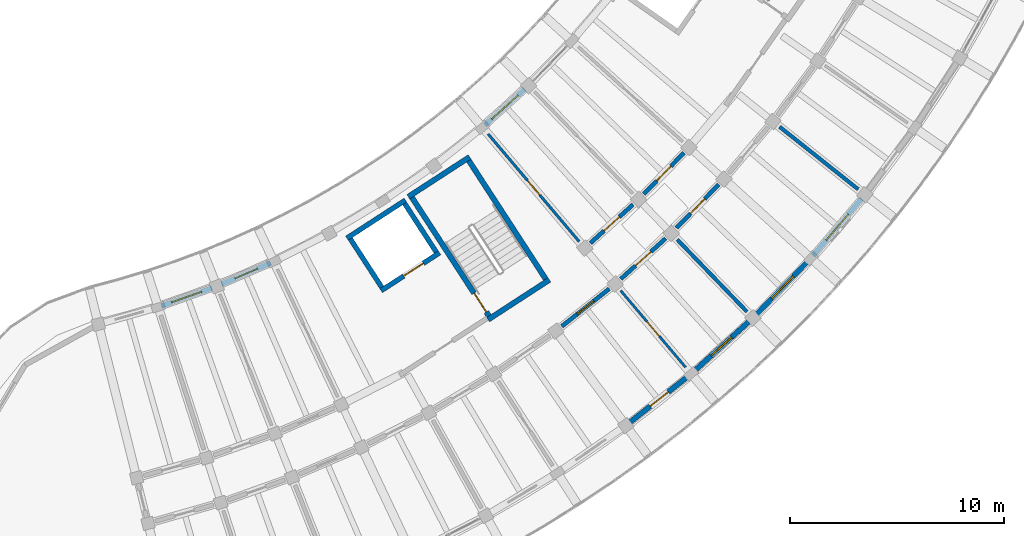
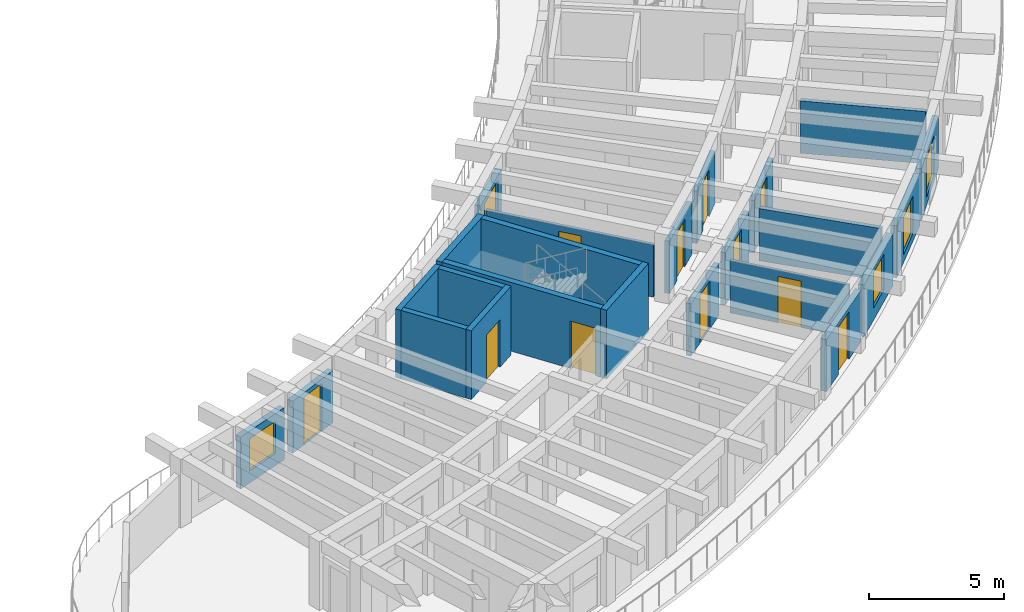
# One storey, part 67 of 96: 24 walls, 11 doors, 5 windows, 16 openings.
"""IFC4 building model written with IfcOpenShell, lengths in metres."""

from ifc_helpers import new_model, si_unit, direction, frame, frame_2d, origin, place, context, subcontext, project, spatial, rectangle, extrude, material, layer, layer_set, type_object, element, fill, save


model = new_model("IFC4")

# Units and contexts
model_context = context("Model", 3, precision=1e-05, world=origin(), true_north=direction((0.0, 1.0)))
body_context = subcontext(model_context, "Body", "Model", "MODEL_VIEW")
ifc_project = project(units=[si_unit("LENGTHUNIT", "METRE"), si_unit("AREAUNIT", "SQUARE_METRE"), si_unit("VOLUMEUNIT", "CUBIC_METRE"), si_unit("PLANEANGLEUNIT", "RADIAN"), si_unit("MASSUNIT", "GRAM", prefix="KILO")], contexts=[model_context])

# Site, building, storey
site_placement = place(None, origin())
site = spatial("IfcSite", under=ifc_project, at=site_placement, CompositionType="ELEMENT")
building_placement = place(site_placement, origin())
building = spatial("IfcBuilding", under=site, at=building_placement, Name="Tanwirah Colonnade Gardens", CompositionType="ELEMENT")
storey_placement = place(building_placement, frame((0.0, 0.0, 12.199951171875)))
storey = spatial("IfcBuildingStorey", under=building, at=storey_placement, Name="L03", CompositionType="ELEMENT", Elevation=12.199951171875)

# Wall, opening, window
ifc_material_1 = material(Name="Limestone architectural precast concrete C40/50", Category="masonry")
ifc_layer_1 = layer(ifc_material_1, 0.239990234375)
ifc_layer_set_1 = layer_set([ifc_layer_1], Name="Limestone architectural precast concrete C40/50")
wall_type_1 = type_object("IfcWallType", Name="EW-PC240", PredefinedType="SOLIDWALL", material=ifc_layer_set_1)
wall_1_placement = place(storey_placement, frame((134.701904296875, 22.2197265625, 0.0), z_axis=(0.0, 0.0, 1.0), x_axis=(0.941892135469, 0.33591547321, 0.0)))
wall_1 = element("IfcWall", 1, at=wall_1_placement, inside=storey, type_object=wall_type_1, Name="Block D L03 IN Precast Facade Wall 1", PredefinedType="SOLIDWALL", context=body_context, shape_type="SweptSolid", body=[
    extrude(rectangle(XDim=2.498779296875, YDim=0.239990234375, at=frame_2d((1.24951171875, 0.0))), origin(), (0.0, 0.0, 1.0), 2.35498046875),
])
opening_1_placement = place(wall_1_placement, frame((0.509521484375, 0.0, 0.550048828125)))
opening_1 = element("IfcOpeningElement", 2, at=opening_1_placement, cuts=wall_1, Name="Opening WIN-U09", PredefinedType="OPENING", context=body_context, shape_type="SweptSolid", body=[
    extrude(rectangle(XDim=1.47998046875, YDim=1.4599609375, at=frame_2d((0.739990234375, 0.72998046875))), frame((0.0, 0.1298828125, 0.0), z_axis=(0.0, -1.0, 0.0), x_axis=(1.0, 0.0, 0.0)), (0.0, 0.0, 1.0), 0.260009765625),
])
ifc_material_2 = material(Name="Thermally broken bronze aluminium and solar low-E double glazing", Category="aluminium")
window_type_1 = type_object("IfcWindowType", Name="WIN-U09", PartitioningType="DOUBLE_PANEL_VERTICAL", PredefinedType="WINDOW", material=ifc_material_2)
window_1_placement = place(opening_1_placement, origin())
window_1 = element("IfcWindow", 3, at=window_1_placement, inside=storey, type_object=window_type_1, Name="Facade window D-L03-IN-01", OverallHeight=1.4599609375, OverallWidth=1.47998046875, PartitioningType="SINGLE_PANEL", PredefinedType="WINDOW", context=body_context, shape_type="SweptSolid", body=[
    extrude(rectangle(XDim=1.47998046875, YDim=1.4599609375, at=frame_2d((0.739990234375, 0.72998046875))), frame((0.0, 0.030029296875, 0.0), z_axis=(0.0, -1.0, 0.0), x_axis=(1.0, 0.0, 0.0)), (0.0, 0.0, 1.0), 0.06005859375),
])
fill(opening_1, window_1)

# Wall, opening, door
wall_2_placement = place(storey_placement, frame((137.5205078125, 23.2421875, 0.0), z_axis=(0.0, 0.0, 1.0), x_axis=(0.91795321239, 0.396688668686, 0.0)))
wall_2 = element("IfcWall", 4, at=wall_2_placement, inside=storey, type_object=wall_type_1, Name="Block D L03 IN Precast Facade Wall 2", PredefinedType="SOLIDWALL", context=body_context, shape_type="SweptSolid", body=[
    extrude(rectangle(XDim=2.498779296875, YDim=0.239990234375, at=frame_2d((1.24951171875, 0.0))), origin(), (0.0, 0.0, 1.0), 2.35498046875),
])
opening_2_placement = place(wall_2_placement, frame((0.679443359375, 0.0, 0.0)))
opening_2 = element("IfcOpeningElement", 5, at=opening_2_placement, cuts=wall_2, Name="Opening L03-ED188", PredefinedType="OPENING", context=body_context, shape_type="SweptSolid", body=[
    extrude(rectangle(XDim=1.139892578125, YDim=2.159912109375, at=frame_2d((0.56982421875, 1.080078125))), frame((0.0, 0.1298828125, 0.0), z_axis=(0.0, -1.0, 0.0), x_axis=(1.0, 0.0, 0.0)), (0.0, 0.0, 1.0), 0.260009765625),
])
ifc_material_3 = material(Name="Bronze aluminium glazed balcony door", Category="aluminium")
door_type_1 = type_object("IfcDoorType", Name="ED-BAL114", OperationType="NOTDEFINED", PredefinedType="DOOR", material=ifc_material_3)
door_1_placement = place(opening_2_placement, origin())
door_1 = element("IfcDoor", 6, at=door_1_placement, inside=storey, type_object=door_type_1, Name="Balcony glazed door L03-ED188", OperationType="SINGLE_SWING_RIGHT", OverallHeight=2.159912109375, OverallWidth=1.139892578125, PredefinedType="DOOR", context=body_context, shape_type="SweptSolid", body=[
    extrude(rectangle(XDim=1.139892578125, YDim=2.159912109375, at=frame_2d((0.56982421875, 1.080078125))), frame((0.0, 0.02490234375, 0.0), z_axis=(0.0, -1.0, 0.0), x_axis=(1.0, 0.0, 0.0)), (0.0, 0.0, 1.0), 0.050048828125),
])
fill(opening_2, door_1)

wall_3_placement = place(storey_placement, frame((156.61767578125, 16.78564453125, 0.0), z_axis=(0.0, 0.0, 1.0), x_axis=(0.78398760997, 0.620776471376, 0.0)))
wall_3 = element("IfcWall", 7, at=wall_3_placement, inside=storey, type_object=wall_type_1, Name="Block D L03 OUT Precast Facade Wall 6", PredefinedType="SOLIDWALL", context=body_context, shape_type="SweptSolid", body=[
    extrude(rectangle(XDim=3.48681640625, YDim=0.239990234375, at=frame_2d((1.743408203125, 0.0))), origin(), (0.0, 0.0, 1.0), 2.35498046875),
])
opening_3_placement = place(wall_3_placement, frame((1.203369140625, 0.0, 0.0)))
opening_3 = element("IfcOpeningElement", 8, at=opening_3_placement, cuts=wall_3, Name="Opening L03-ED189", PredefinedType="OPENING", context=body_context, shape_type="SweptSolid", body=[
    extrude(rectangle(XDim=1.080078125, YDim=2.14990234375, at=frame_2d((0.5400390625, 1.074951171875))), frame((0.0, 0.1298828125, 0.0), z_axis=(0.0, -1.0, 0.0), x_axis=(1.0, 0.0, 0.0)), (0.0, 0.0, 1.0), 0.260009765625),
])
door_type_2 = type_object("IfcDoorType", Name="ED-BAL108", OperationType="NOTDEFINED", PredefinedType="DOOR", material=ifc_material_3)
door_2_placement = place(opening_3_placement, origin())
door_2 = element("IfcDoor", 9, at=door_2_placement, inside=storey, type_object=door_type_2, Name="Balcony glazed door L03-ED189", OperationType="SINGLE_SWING_RIGHT", OverallHeight=2.14990234375, OverallWidth=1.080078125, PredefinedType="DOOR", context=body_context, shape_type="SweptSolid", body=[
    extrude(rectangle(XDim=1.080078125, YDim=2.14990234375, at=frame_2d((0.5400390625, 1.074951171875))), frame((0.0, 0.02490234375, 0.0), z_axis=(0.0, -1.0, 0.0), x_axis=(1.0, 0.0, 0.0)), (0.0, 0.0, 1.0), 0.050048828125),
])
fill(opening_3, door_2)

# Wall, opening, window
wall_4_placement = place(storey_placement, frame((159.595458984375, 19.15673828125, 0.0), z_axis=(0.0, 0.0, 1.0), x_axis=(0.741648568445, 0.670788641022, 0.0)))
wall_4 = element("IfcWall", 10, at=wall_4_placement, inside=storey, type_object=wall_type_1, Name="Block D L03 OUT Precast Facade Wall 7", PredefinedType="SOLIDWALL", context=body_context, shape_type="SweptSolid", body=[
    extrude(rectangle(XDim=3.48681640625, YDim=0.239990234375, at=frame_2d((1.743408203125, 0.0))), origin(), (0.0, 0.0, 1.0), 2.35498046875),
])
opening_4_placement = place(wall_4_placement, frame((1.093505859375, 0.0, 0.550048828125)))
opening_4 = element("IfcOpeningElement", 11, at=opening_4_placement, cuts=wall_4, Name="Opening WIN-T04", PredefinedType="OPENING", context=body_context, shape_type="SweptSolid", body=[
    extrude(rectangle(XDim=1.300048828125, YDim=1.60009765625, at=frame_2d((0.64990234375, 0.800048828125))), frame((0.0, 0.1298828125, 0.0), z_axis=(0.0, -1.0, 0.0), x_axis=(1.0, 0.0, 0.0)), (0.0, 0.0, 1.0), 0.260009765625),
])
window_type_2 = type_object("IfcWindowType", Name="WIN-T04", PartitioningType="DOUBLE_PANEL_VERTICAL", PredefinedType="WINDOW", material=ifc_material_2)
window_2_placement = place(opening_4_placement, origin())
window_2 = element("IfcWindow", 12, at=window_2_placement, inside=storey, type_object=window_type_2, Name="Facade window D-L03-OUT-07", OverallHeight=1.60009765625, OverallWidth=1.300048828125, PartitioningType="SINGLE_PANEL", PredefinedType="WINDOW", context=body_context, shape_type="SweptSolid", body=[
    extrude(rectangle(XDim=1.300048828125, YDim=1.60009765625, at=frame_2d((0.64990234375, 0.800048828125))), frame((0.0, 0.030029296875, 0.0), z_axis=(0.0, -1.0, 0.0), x_axis=(1.0, 0.0, 0.0)), (0.0, 0.0, 1.0), 0.06005859375),
])
fill(opening_4, window_2)

wall_5_placement = place(storey_placement, frame((149.8388671875, 30.681640625, 0.0), z_axis=(0.0, 0.0, 1.0), x_axis=(0.741683903342, 0.670749571393, 0.0)))
wall_5 = element("IfcWall", 13, at=wall_5_placement, inside=storey, type_object=wall_type_1, Name="Block D L03 IN Precast Facade Wall 7", PredefinedType="SOLIDWALL", context=body_context, shape_type="SweptSolid", body=[
    extrude(rectangle(XDim=2.498779296875, YDim=0.239990234375, at=frame_2d((1.24951171875, 0.0))), origin(), (0.0, 0.0, 1.0), 2.35498046875),
])
opening_5_placement = place(wall_5_placement, frame((0.42431640625, 0.0, 0.35009765625)))
opening_5 = element("IfcOpeningElement", 14, at=opening_5_placement, cuts=wall_5, Name="Opening WIN-T11", PredefinedType="OPENING", context=body_context, shape_type="SweptSolid", body=[
    extrude(rectangle(XDim=1.64990234375, YDim=1.800048828125, at=frame_2d((0.824951171875, 0.89990234375))), frame((0.0, 0.1298828125, 0.0), z_axis=(0.0, -1.0, 0.0), x_axis=(1.0, 0.0, 0.0)), (0.0, 0.0, 1.0), 0.260009765625),
])
window_type_3 = type_object("IfcWindowType", Name="WIN-T11", PartitioningType="DOUBLE_PANEL_VERTICAL", PredefinedType="WINDOW", material=ifc_material_2)
window_3_placement = place(opening_5_placement, origin())
window_3 = element("IfcWindow", 15, at=window_3_placement, inside=storey, type_object=window_type_3, Name="Facade window D-L03-IN-07", OverallHeight=1.800048828125, OverallWidth=1.64990234375, PartitioningType="SINGLE_PANEL", PredefinedType="WINDOW", context=body_context, shape_type="SweptSolid", body=[
    extrude(rectangle(XDim=1.64990234375, YDim=1.800048828125, at=frame_2d((0.824951171875, 0.89990234375))), frame((0.0, 0.030029296875, 0.0), z_axis=(0.0, -1.0, 0.0), x_axis=(1.0, 0.0, 0.0)), (0.0, 0.0, 1.0), 0.06005859375),
])
fill(opening_5, window_3)

wall_6_placement = place(storey_placement, frame((162.541015625, 21.8427734375, 0.0), z_axis=(0.0, 0.0, 1.0), x_axis=(0.696205978342, 0.717842068788, 0.0)))
wall_6 = element("IfcWall", 16, at=wall_6_placement, inside=storey, type_object=wall_type_1, Name="Block D L03 OUT Precast Facade Wall 8", PredefinedType="SOLIDWALL", context=body_context, shape_type="SweptSolid", body=[
    extrude(rectangle(XDim=3.48681640625, YDim=0.239990234375, at=frame_2d((1.743408203125, 0.0))), origin(), (0.0, 0.0, 1.0), 2.35498046875),
])
opening_6_placement = place(wall_6_placement, frame((1.018310546875, 0.0, 0.35009765625)))
opening_6 = element("IfcOpeningElement", 17, at=opening_6_placement, cuts=wall_6, Name="Opening WIN-T07", PredefinedType="OPENING", context=body_context, shape_type="SweptSolid", body=[
    extrude(rectangle(XDim=1.449951171875, YDim=1.699951171875, at=frame_2d((0.72509765625, 0.85009765625))), frame((0.0, 0.1298828125, 0.0), z_axis=(0.0, -1.0, 0.0), x_axis=(1.0, 0.0, 0.0)), (0.0, 0.0, 1.0), 0.260009765625),
])
window_type_4 = type_object("IfcWindowType", Name="WIN-T07", PartitioningType="DOUBLE_PANEL_VERTICAL", PredefinedType="WINDOW", material=ifc_material_2)
window_4_placement = place(opening_6_placement, origin())
window_4 = element("IfcWindow", 18, at=window_4_placement, inside=storey, type_object=window_type_4, Name="Facade window D-L03-OUT-08", OverallHeight=1.699951171875, OverallWidth=1.449951171875, PartitioningType="SINGLE_PANEL", PredefinedType="WINDOW", context=body_context, shape_type="SweptSolid", body=[
    extrude(rectangle(XDim=1.449951171875, YDim=1.699951171875, at=frame_2d((0.72509765625, 0.85009765625))), frame((0.0, 0.030029296875, 0.0), z_axis=(0.0, -1.0, 0.0), x_axis=(1.0, 0.0, 0.0)), (0.0, 0.0, 1.0), 0.06005859375),
])
fill(opening_6, window_4)

wall_7_placement = place(storey_placement, frame((165.18359375, 24.58251953125, 0.0), z_axis=(0.0, 0.0, 1.0), x_axis=(0.647811002696, 0.761801092665, 0.0)))
wall_7 = element("IfcWall", 19, at=wall_7_placement, inside=storey, type_object=wall_type_1, Name="Block D L03 OUT Precast Facade Wall 9", PredefinedType="SOLIDWALL", context=body_context, shape_type="SweptSolid", body=[
    extrude(rectangle(XDim=3.48681640625, YDim=0.239990234375, at=frame_2d((1.743408203125, 0.0))), origin(), (0.0, 0.0, 1.0), 2.35498046875),
])
opening_7_placement = place(wall_7_placement, frame((0.943359375, 0.0, 0.35009765625)))
opening_7 = element("IfcOpeningElement", 20, at=opening_7_placement, cuts=wall_7, Name="Opening WIN-T10", PredefinedType="OPENING", context=body_context, shape_type="SweptSolid", body=[
    extrude(rectangle(XDim=1.60009765625, YDim=1.75, at=frame_2d((0.800048828125, 0.875))), frame((0.0, 0.1298828125, 0.0), z_axis=(0.0, -1.0, 0.0), x_axis=(1.0, 0.0, 0.0)), (0.0, 0.0, 1.0), 0.260009765625),
])
window_type_5 = type_object("IfcWindowType", Name="WIN-T10", PartitioningType="DOUBLE_PANEL_VERTICAL", PredefinedType="WINDOW", material=ifc_material_2)
window_5_placement = place(opening_7_placement, origin())
window_5 = element("IfcWindow", 21, at=window_5_placement, inside=storey, type_object=window_type_5, Name="Facade window D-L03-OUT-09", OverallHeight=1.75, OverallWidth=1.60009765625, PartitioningType="SINGLE_PANEL", PredefinedType="WINDOW", context=body_context, shape_type="SweptSolid", body=[
    extrude(rectangle(XDim=1.60009765625, YDim=1.75, at=frame_2d((0.800048828125, 0.875))), frame((0.0, 0.030029296875, 0.0), z_axis=(0.0, -1.0, 0.0), x_axis=(1.0, 0.0, 0.0)), (0.0, 0.0, 1.0), 0.06005859375),
])
fill(opening_7, window_5)

# Wall, opening, door
ifc_material_4 = material(Name="Precast concrete C40/50", Category="concrete")
ifc_layer_2 = layer(ifc_material_4, 0.195068359375)
ifc_layer_set_2 = layer_set([ifc_layer_2], Name="Precast concrete C40/50")
wall_type_2 = type_object("IfcWallType", Name="IW-CORR195", PredefinedType="PARTITIONING", material=ifc_layer_set_2)
wall_8_placement = place(storey_placement, frame((153.424560546875, 21.268798828125, 0.0), z_axis=(0.0, 0.0, 1.0), x_axis=(0.783965548427, 0.620804332201, 0.0)))
wall_8 = element("IfcWall", 22, at=wall_8_placement, inside=storey, type_object=wall_type_2, Name="Block D L03 OUT Corridor Wall 6", PredefinedType="PARTITIONING", context=body_context, shape_type="SweptSolid", body=[
    extrude(rectangle(XDim=2.8369140625, YDim=0.195068359375, at=frame_2d((1.41845703125, 0.0))), origin(), (0.0, 0.0, 1.0), 2.3701171875),
])
opening_8_placement = place(wall_8_placement, frame((0.923583984375, 0.0, 0.0)))
opening_8 = element("IfcOpeningElement", 23, at=opening_8_placement, cuts=wall_8, Name="Opening L03-AD1775", PredefinedType="OPENING", context=body_context, shape_type="SweptSolid", body=[
    extrude(rectangle(XDim=0.989990234375, YDim=2.159912109375, at=frame_2d((0.4951171875, 1.080078125))), frame((0.0, 0.107421875, 0.0), z_axis=(0.0, -1.0, 0.0), x_axis=(1.0, 0.0, 0.0)), (0.0, 0.0, 1.0), 0.215087890625),
])
ifc_material_5 = material(Name="Solid oak fire-resisting apartment entrance door")
door_type_3 = type_object("IfcDoorType", Name="ID-FLT099", OperationType="NOTDEFINED", PredefinedType="DOOR", material=ifc_material_5)
door_3_placement = place(opening_8_placement, origin())
door_3 = element("IfcDoor", 24, at=door_3_placement, inside=storey, type_object=door_type_3, Name="Apartment corridor door L03-AD1775", OperationType="SINGLE_SWING_RIGHT", OverallHeight=2.159912109375, OverallWidth=0.989990234375, PredefinedType="DOOR", context=body_context, shape_type="SweptSolid", body=[
    extrude(rectangle(XDim=0.989990234375, YDim=2.159912109375, at=frame_2d((0.4951171875, 1.080078125))), frame((0.0, 0.02490234375, 0.0), z_axis=(0.0, -1.0, 0.0), x_axis=(1.0, 0.0, 0.0)), (0.0, 0.0, 1.0), 0.050048828125),
])
fill(opening_8, door_3)

wall_9_placement = place(storey_placement, frame((156.1826171875, 23.48193359375, 0.0), z_axis=(0.0, 0.0, 1.0), x_axis=(0.741631592147, 0.670807410163, 0.0)))
wall_9 = element("IfcWall", 25, at=wall_9_placement, inside=storey, type_object=wall_type_2, Name="Block D L03 OUT Corridor Wall 7", PredefinedType="PARTITIONING", context=body_context, shape_type="SweptSolid", body=[
    extrude(rectangle(XDim=2.8369140625, YDim=0.195068359375, at=frame_2d((1.41845703125, 0.0))), origin(), (0.0, 0.0, 1.0), 2.3701171875),
])
opening_9_placement = place(wall_9_placement, frame((0.93359375, 0.0, 0.0)))
opening_9 = element("IfcOpeningElement", 26, at=opening_9_placement, cuts=wall_9, Name="Opening L03-AD1778", PredefinedType="OPENING", context=body_context, shape_type="SweptSolid", body=[
    extrude(rectangle(XDim=0.969970703125, YDim=2.14990234375, at=frame_2d((0.48486328125, 1.074951171875))), frame((0.0, 0.107421875, 0.0), z_axis=(0.0, -1.0, 0.0), x_axis=(1.0, 0.0, 0.0)), (0.0, 0.0, 1.0), 0.215087890625),
])
door_type_4 = type_object("IfcDoorType", Name="ID-FLT097", OperationType="NOTDEFINED", PredefinedType="DOOR", material=ifc_material_5)
door_4_placement = place(opening_9_placement, origin())
door_4 = element("IfcDoor", 27, at=door_4_placement, inside=storey, type_object=door_type_4, Name="Apartment corridor door L03-AD1778", OperationType="SINGLE_SWING_LEFT", OverallHeight=2.14990234375, OverallWidth=0.969970703125, PredefinedType="DOOR", context=body_context, shape_type="SweptSolid", body=[
    extrude(rectangle(XDim=0.969970703125, YDim=2.14990234375, at=frame_2d((0.48486328125, 1.074951171875))), frame((0.0, 0.02490234375, 0.0), z_axis=(0.0, -1.0, 0.0), x_axis=(1.0, 0.0, 0.0)), (0.0, 0.0, 1.0), 0.050048828125),
])
fill(opening_9, door_4)

wall_10_placement = place(storey_placement, frame((154.76123046875, 25.1611328125, 0.0), z_axis=(0.0, 0.0, 1.0), x_axis=(0.74166462946, 0.670770882945, 0.0)))
wall_10 = element("IfcWall", 28, at=wall_10_placement, inside=storey, type_object=wall_type_2, Name="Block D L03 IN Corridor Wall 7", PredefinedType="PARTITIONING", context=body_context, shape_type="SweptSolid", body=[
    extrude(rectangle(XDim=2.693115234375, YDim=0.195068359375, at=frame_2d((1.3466796875, 0.0))), origin(), (0.0, 0.0, 1.0), 2.3701171875),
])
opening_10_placement = place(wall_10_placement, frame((0.861572265625, 0.0, 0.0)))
opening_10 = element("IfcOpeningElement", 29, at=opening_10_placement, cuts=wall_10, Name="Opening L03-AD1779", PredefinedType="OPENING", context=body_context, shape_type="SweptSolid", body=[
    extrude(rectangle(XDim=0.969970703125, YDim=2.14990234375, at=frame_2d((0.48486328125, 1.074951171875))), frame((0.0, 0.107421875, 0.0), z_axis=(0.0, -1.0, 0.0), x_axis=(1.0, 0.0, 0.0)), (0.0, 0.0, 1.0), 0.215087890625),
])
door_5_placement = place(opening_10_placement, origin())
door_5 = element("IfcDoor", 30, at=door_5_placement, inside=storey, type_object=door_type_4, Name="Apartment corridor door L03-AD1779", OperationType="SINGLE_SWING_RIGHT", OverallHeight=2.14990234375, OverallWidth=0.969970703125, PredefinedType="DOOR", context=body_context, shape_type="SweptSolid", body=[
    extrude(rectangle(XDim=0.969970703125, YDim=2.14990234375, at=frame_2d((0.48486328125, 1.074951171875))), frame((0.0, 0.02490234375, 0.0), z_axis=(0.0, -1.0, 0.0), x_axis=(1.0, 0.0, 0.0)), (0.0, 0.0, 1.0), 0.050048828125),
])
fill(opening_10, door_5)

wall_11_placement = place(storey_placement, frame((158.7900390625, 25.870849609375, 0.0), z_axis=(0.0, 0.0, 1.0), x_axis=(0.696223786753, 0.717824796701, 0.0)))
wall_11 = element("IfcWall", 31, at=wall_11_placement, inside=storey, type_object=wall_type_2, Name="Block D L03 OUT Corridor Wall 8", PredefinedType="PARTITIONING", context=body_context, shape_type="SweptSolid", body=[
    extrude(rectangle(XDim=2.8369140625, YDim=0.195068359375, at=frame_2d((1.41845703125, 0.0))), origin(), (0.0, 0.0, 1.0), 2.3701171875),
])
opening_11_placement = place(wall_11_placement, frame((0.943603515625, 0.0, 0.0)))
opening_11 = element("IfcOpeningElement", 32, at=opening_11_placement, cuts=wall_11, Name="Opening L03-AD1781", PredefinedType="OPENING", context=body_context, shape_type="SweptSolid", body=[
    extrude(rectangle(XDim=0.949951171875, YDim=2.1298828125, at=frame_2d((0.47509765625, 1.06494140625))), frame((0.0, 0.107421875, 0.0), z_axis=(0.0, -1.0, 0.0), x_axis=(1.0, 0.0, 0.0)), (0.0, 0.0, 1.0), 0.215087890625),
])
door_type_5 = type_object("IfcDoorType", Name="ID-FLT095", OperationType="NOTDEFINED", PredefinedType="DOOR", material=ifc_material_5)
door_6_placement = place(opening_11_placement, origin())
door_6 = element("IfcDoor", 33, at=door_6_placement, inside=storey, type_object=door_type_5, Name="Apartment corridor door L03-AD1781", OperationType="SINGLE_SWING_RIGHT", OverallHeight=2.1298828125, OverallWidth=0.949951171875, PredefinedType="DOOR", context=body_context, shape_type="SweptSolid", body=[
    extrude(rectangle(XDim=0.949951171875, YDim=2.1298828125, at=frame_2d((0.47509765625, 1.06494140625))), frame((0.0, 0.02490234375, 0.0), z_axis=(0.0, -1.0, 0.0), x_axis=(1.0, 0.0, 0.0)), (0.0, 0.0, 1.0), 0.050048828125),
])
fill(opening_11, door_6)

wall_12_placement = place(storey_placement, frame((157.26171875, 27.453369140625, 0.0), z_axis=(0.0, 0.0, 1.0), x_axis=(0.696236443412, 0.717812520694, 0.0)))
wall_12 = element("IfcWall", 34, at=wall_12_placement, inside=storey, type_object=wall_type_2, Name="Block D L03 IN Corridor Wall 8", PredefinedType="PARTITIONING", context=body_context, shape_type="SweptSolid", body=[
    extrude(rectangle(XDim=2.693115234375, YDim=0.195068359375, at=frame_2d((1.3466796875, 0.0))), origin(), (0.0, 0.0, 1.0), 2.3701171875),
])
opening_12_placement = place(wall_12_placement, frame((0.87158203125, 0.0, 0.0)))
opening_12 = element("IfcOpeningElement", 35, at=opening_12_placement, cuts=wall_12, Name="Opening L03-AD1782", PredefinedType="OPENING", context=body_context, shape_type="SweptSolid", body=[
    extrude(rectangle(XDim=0.949951171875, YDim=2.1298828125, at=frame_2d((0.47509765625, 1.06494140625))), frame((0.0, 0.107421875, 0.0), z_axis=(0.0, -1.0, 0.0), x_axis=(1.0, 0.0, 0.0)), (0.0, 0.0, 1.0), 0.215087890625),
])
door_7_placement = place(opening_12_placement, origin())
door_7 = element("IfcDoor", 36, at=door_7_placement, inside=storey, type_object=door_type_5, Name="Apartment corridor door L03-AD1782", OperationType="SINGLE_SWING_LEFT", OverallHeight=2.1298828125, OverallWidth=0.949951171875, PredefinedType="DOOR", context=body_context, shape_type="SweptSolid", body=[
    extrude(rectangle(XDim=0.949951171875, YDim=2.1298828125, at=frame_2d((0.47509765625, 1.06494140625))), frame((0.0, 0.02490234375, 0.0), z_axis=(0.0, -1.0, 0.0), x_axis=(1.0, 0.0, 0.0)), (0.0, 0.0, 1.0), 0.050048828125),
])
fill(opening_12, door_7)

# Walls
ifc_layer_3 = layer(ifc_material_4, 0.175048828125)
ifc_layer_set_3 = layer_set([ifc_layer_3], Name="Precast concrete C40/50")
wall_type_3 = type_object("IfcWallType", Name="IW-DEM175", PredefinedType="PARTITIONING", material=ifc_layer_set_3)
for number, where, z_axis, x_axis, name in (
    (37, (158.82421875, 25.33203125, 0.0), (0.0, 0.0, 1.0), (0.69466218314, -0.719336118456, 0.0), "Block D L03 Radial Partition 7"),
    (38, (163.613037109375, 30.60400390625, 0.0), (0.0, 0.0, 1.0), (0.782609106384, -0.622513442911, 0.0), "Block D L03 Radial Partition 9"),
):
    element("IfcWall", number, at=place(storey_placement, frame(where, z_axis=z_axis, x_axis=x_axis)), inside=storey, type_object=wall_type_3, Name=name, PredefinedType="PARTITIONING", context=body_context, shape_type="SweptSolid", body=[
        extrude(rectangle(XDim=4.699951171875, YDim=0.175048828125, at=frame_2d((2.35009765625, 0.0))), origin(), (0.0, 0.0, 1.0), 2.3701171875),
    ])

# Wall, opening, door
ifc_material_6 = material(Name="Acoustic gypsum stud partition")
ifc_layer_4 = layer(ifc_material_6, 0.114990234375)
ifc_layer_set_4 = layer_set([ifc_layer_4], Name="Acoustic gypsum stud partition")
wall_type_4 = type_object("IfcWallType", Name="IW-INT115", PredefinedType="PARTITIONING", material=ifc_layer_set_4)
wall_13_placement = place(storey_placement, frame((156.181396484375, 22.94189453125, 0.0), z_axis=(0.0, 0.0, 1.0), x_axis=(0.646137818229, -0.76322075434, 0.0)))
wall_13 = element("IfcWall", 39, at=wall_13_placement, inside=storey, type_object=wall_type_4, Name="Block D L03 Radial Partition 6", PredefinedType="PARTITIONING", context=body_context, shape_type="SweptSolid", body=[
    extrude(rectangle(XDim=4.699951171875, YDim=0.114990234375, at=frame_2d((2.35009765625, 0.0))), origin(), (0.0, 0.0, 1.0), 2.3701171875),
])
opening_13_placement = place(wall_13_placement, frame((1.89501953125, 0.0, 0.0)))
opening_13 = element("IfcOpeningElement", 40, at=opening_13_placement, cuts=wall_13, Name="Opening L03-RD1776", PredefinedType="OPENING", context=body_context, shape_type="SweptSolid", body=[
    extrude(rectangle(XDim=0.909912109375, YDim=2.10009765625, at=frame_2d((0.455078125, 1.050048828125))), frame((0.0, 0.0673828125, 0.0), z_axis=(0.0, -1.0, 0.0), x_axis=(1.0, 0.0, 0.0)), (0.0, 0.0, 1.0), 0.135009765625),
])
ifc_material_7 = material(Name="Painted hardwood internal room door", Category="wood")
door_type_6 = type_object("IfcDoorType", Name="ID-RM091", OperationType="NOTDEFINED", PredefinedType="DOOR", material=ifc_material_7)
door_8_placement = place(opening_13_placement, origin())
door_8 = element("IfcDoor", 41, at=door_8_placement, inside=storey, type_object=door_type_6, Name="Internal apartment door L03-RD1776", OperationType="SINGLE_SWING_RIGHT", OverallHeight=2.10009765625, OverallWidth=0.909912109375, PredefinedType="DOOR", context=body_context, shape_type="SweptSolid", body=[
    extrude(rectangle(XDim=0.909912109375, YDim=2.10009765625, at=frame_2d((0.455078125, 1.050048828125))), frame((0.0, 0.02490234375, 0.0), z_axis=(0.0, -1.0, 0.0), x_axis=(1.0, 0.0, 0.0)), (0.0, 0.0, 1.0), 0.050048828125),
])
fill(opening_13, door_8)

ifc_material_8 = material(Name="Moisture-resistant gypsum stud partition")
ifc_layer_5 = layer(ifc_material_8, 0.125)
ifc_layer_set_5 = layer_set([ifc_layer_5], Name="Moisture-resistant gypsum stud partition")
wall_type_5 = type_object("IfcWallType", Name="IW-INT125", PredefinedType="PARTITIONING", material=ifc_layer_set_5)
wall_14_placement = place(storey_placement, frame((149.978759765625, 30.26904296875, 0.0), z_axis=(0.0, 0.0, 1.0), x_axis=(0.646121311019, -0.763234728932, 0.0)))
wall_14 = element("IfcWall", 42, at=wall_14_placement, inside=storey, type_object=wall_type_5, Name="Block D L03 Inner Radial Partition 6", PredefinedType="PARTITIONING", context=body_context, shape_type="SweptSolid", body=[
    extrude(rectangle(XDim=6.60009765625, YDim=0.125, at=frame_2d((3.300048828125, 0.0))), origin(), (0.0, 0.0, 1.0), 2.3701171875),
])
opening_14_placement = place(wall_14_placement, frame((2.85498046875, 0.0, 0.0)))
opening_14 = element("IfcOpeningElement", 43, at=opening_14_placement, cuts=wall_14, Name="Opening L03-RD1777", PredefinedType="OPENING", context=body_context, shape_type="SweptSolid", body=[
    extrude(rectangle(XDim=0.889892578125, YDim=2.10009765625, at=frame_2d((0.44482421875, 1.050048828125))), frame((0.0, 0.072509765625, 0.0), z_axis=(0.0, -1.0, 0.0), x_axis=(1.0, 0.0, 0.0)), (0.0, 0.0, 1.0), 0.14501953125),
])
ifc_material_9 = material(Name="Painted hardwood bedroom door", Category="wood")
door_type_7 = type_object("IfcDoorType", Name="ID-RM089", OperationType="NOTDEFINED", PredefinedType="DOOR", material=ifc_material_9)
door_9_placement = place(opening_14_placement, origin())
door_9 = element("IfcDoor", 44, at=door_9_placement, inside=storey, type_object=door_type_7, Name="Internal apartment door L03-RD1777", OperationType="SINGLE_SWING_LEFT", OverallHeight=2.10009765625, OverallWidth=0.889892578125, PredefinedType="DOOR", context=body_context, shape_type="SweptSolid", body=[
    extrude(rectangle(XDim=0.889892578125, YDim=2.10009765625, at=frame_2d((0.44482421875, 1.050048828125))), frame((0.0, 0.02490234375, 0.0), z_axis=(0.0, -1.0, 0.0), x_axis=(1.0, 0.0, 0.0)), (0.0, 0.0, 1.0), 0.050048828125),
])
fill(opening_14, door_9)

# Walls
ifc_material_10 = material(Name="Concrete C45/55", Category="concrete")
ifc_layer_6 = layer(ifc_material_10, 0.25)
ifc_layer_set_6 = layer_set([ifc_layer_6], Name="Concrete C45/55")
wall_type_6 = type_object("IfcWallType", Name="SW-CORE250", PredefinedType="SHEAR", material=ifc_layer_set_6)
wall_15_placement = place(storey_placement, frame((152.674072265625, 23.48388671875, 0.0), z_axis=(0.0, 0.0, 1.0), x_axis=(-0.544655453679, 0.838659905312, 0.0)))
element("IfcWall", 45, at=wall_15_placement, inside=storey, type_object=wall_type_6, Name="CORE-D1 L03 Stair Shaft Shear Wall LEFT", PredefinedType="SHEAR", context=body_context, shape_type="SweptSolid", body=[
    extrude(rectangle(XDim=6.60009765625, YDim=0.25, at=frame_2d((3.300048828125, 0.0))), origin(), (0.0, 0.0, 1.0), 3.110107421875),
])
wall_16_placement = place(storey_placement, frame((149.1162109375, 29.19189453125, 0.0), z_axis=(0.0, 0.0, 1.0), x_axis=(-0.838699580527, -0.544594356953, 0.0)))
element("IfcWall", 46, at=wall_16_placement, inside=storey, type_object=wall_type_6, Name="CORE-D1 L03 Stair Shaft Shear Wall FAR", PredefinedType="SHEAR", context=body_context, shape_type="SweptSolid", body=[
    extrude(rectangle(XDim=3.420166015625, YDim=0.25, at=frame_2d((1.7099609375, 0.0))), origin(), (0.0, 0.0, 1.0), 3.110107421875),
])
wall_17_placement = place(storey_placement, frame((152.846923828125, 23.447021484375, 0.0), z_axis=(0.0, 0.0, 1.0), x_axis=(-0.838645798734, -0.544677174357, 0.0)))
element("IfcWall", 47, at=wall_17_placement, inside=storey, type_object=wall_type_6, Name="CORE-D1 L03 Stair Shaft Shear Wall NEAR", PredefinedType="SHEAR", context=body_context, shape_type="SweptSolid", body=[
    extrude(rectangle(XDim=3.419921875, YDim=0.25, at=frame_2d((1.7099609375, 0.0))), origin(), (0.0, 0.0, 1.0), 3.110107421875),
])

# Wall, opening, door
wall_18_placement = place(storey_placement, frame((150.015380859375, 21.75732421875, 0.0), z_axis=(0.0, 0.0, 1.0), x_axis=(-0.544629435258, 0.838676802022, 0.0)))
wall_18 = element("IfcWall", 48, at=wall_18_placement, inside=storey, type_object=wall_type_6, Name="CORE-D1 L03 Stair Shaft Shear Wall RIGHT", PredefinedType="SHEAR", context=body_context, shape_type="SweptSolid", body=[
    extrude(rectangle(XDim=6.599853515625, YDim=0.25, at=frame_2d((3.2998046875, 0.0))), origin(), (0.0, 0.0, 1.0), 3.110107421875),
])
opening_15_placement = place(wall_18_placement, frame((0.219970703125, 0.0, 0.0)))
opening_15 = element("IfcOpeningElement", 49, at=opening_15_placement, cuts=wall_18, Name="Opening L03-SD173", PredefinedType="OPENING", context=body_context, shape_type="SweptSolid", body=[
    extrude(rectangle(XDim=1.050048828125, YDim=2.14990234375, at=frame_2d((0.52490234375, 1.074951171875))), frame((0.0, 0.135009765625, 0.0), z_axis=(0.0, -1.0, 0.0), x_axis=(1.0, 0.0, 0.0)), (0.0, 0.0, 1.0), 0.27001953125),
])
ifc_material_11 = material(Name="Steel fire-resisting stair enclosure door", Category="steel")
door_type_8 = type_object("IfcDoorType", Name="ID-ST105", OperationType="NOTDEFINED", PredefinedType="DOOR", material=ifc_material_11)
door_10_placement = place(opening_15_placement, origin())
door_10 = element("IfcDoor", 50, at=door_10_placement, inside=storey, type_object=door_type_8, Name="CORE-D1 L03 Stair Fire Door L03-SD173", OperationType="SINGLE_SWING_RIGHT", OverallHeight=2.14990234375, OverallWidth=1.050048828125, PredefinedType="DOOR", context=body_context, shape_type="SweptSolid", body=[
    extrude(rectangle(XDim=1.050048828125, YDim=2.14990234375, at=frame_2d((0.52490234375, 1.074951171875))), frame((0.0, 0.02490234375, 0.0), z_axis=(0.0, -1.0, 0.0), x_axis=(1.0, 0.0, 0.0)), (0.0, 0.0, 1.0), 0.050048828125),
])
fill(opening_15, door_10)

ifc_layer_7 = layer(ifc_material_10, 0.22998046875)
ifc_layer_set_7 = layer_set([ifc_layer_7], Name="Concrete C45/55")
wall_type_7 = type_object("IfcWallType", Name="SW-LIFT230", PredefinedType="SHEAR", material=ifc_layer_set_7)
wall_19_placement = place(storey_placement, frame((147.70849609375, 24.712646484375, 0.0), z_axis=(0.0, 0.0, 1.0), x_axis=(-0.838672833615, -0.544635546173, 0.0)))
wall_19 = element("IfcWall", 51, at=wall_19_placement, inside=storey, type_object=wall_type_7, Name="CORE-D1 L03 Lift Shaft Wall FRONT", PredefinedType="SHEAR", context=body_context, shape_type="SweptSolid", body=[
    extrude(rectangle(XDim=3.259765625, YDim=0.22998046875, at=frame_2d((1.6298828125, 0.0))), origin(), (0.0, 0.0, 1.0), 3.110107421875),
])
opening_16_placement = place(wall_19_placement, frame((0.89990234375, 0.0, 0.0)))
opening_16 = element("IfcOpeningElement", 52, at=opening_16_placement, cuts=wall_19, Name="Opening L03-LD-FL-D1", PredefinedType="OPENING", context=body_context, shape_type="SweptSolid", body=[
    extrude(rectangle(XDim=1.10009765625, YDim=2.14990234375, at=frame_2d((0.550048828125, 1.074951171875))), frame((0.0, 0.125, 0.0), z_axis=(0.0, -1.0, 0.0), x_axis=(1.0, 0.0, 0.0)), (0.0, 0.0, 1.0), 0.25),
])
ifc_material_12 = material(Name="Stainless steel sliding fire lift landing door", Category="steel")
door_type_9 = type_object("IfcDoorType", Name="LD-FF11", OperationType="DOUBLE_DOOR_SLIDING", PredefinedType="DOOR", material=ifc_material_12)
door_11_placement = place(opening_16_placement, origin())
door_11 = element("IfcDoor", 53, at=door_11_placement, inside=storey, type_object=door_type_9, Name="Lift FL-D1 L03 Sliding Landing Door", OperationType="DOUBLE_DOOR_SLIDING", OverallHeight=2.14990234375, OverallWidth=1.10009765625, PredefinedType="DOOR", context=body_context, shape_type="SweptSolid", body=[
    extrude(rectangle(XDim=1.10009765625, YDim=2.14990234375, at=frame_2d((0.550048828125, 1.074951171875))), frame((0.0, 0.02490234375, 0.0), z_axis=(0.0, -1.0, 0.0), x_axis=(1.0, 0.0, 0.0)), (0.0, 0.0, 1.0), 0.050048828125),
])
fill(opening_16, door_11)

# Walls
wall_20_placement = place(storey_placement, frame((146.11279296875, 27.169921875, 0.0), z_axis=(0.0, 0.0, 1.0), x_axis=(-0.838695047431, -0.544601338058, 0.0)))
element("IfcWall", 54, at=wall_20_placement, inside=storey, type_object=wall_type_7, Name="CORE-D1 L03 Lift Shaft Wall BACK", PredefinedType="SHEAR", context=body_context, shape_type="SweptSolid", body=[
    extrude(rectangle(XDim=3.260009765625, YDim=0.22998046875, at=frame_2d((1.6298828125, 0.0))), origin(), (0.0, 0.0, 1.0), 3.110107421875),
])
for number, where, z_axis, x_axis, name in (
    (55, (147.549560546875, 24.74658203125, 0.0), (0.0, 0.0, 1.0), (-0.544622789439, 0.838681117722, 0.0), "CORE-D1 L03 Lift Shaft Wall SIDEA"),
    (56, (145.00830078125, 23.09619140625, 0.0), (0.0, 0.0, 1.0), (-0.544622789439, 0.838681117722, 0.0), "CORE-D1 L03 Lift Shaft Wall SIDEB"),
):
    element("IfcWall", number, at=place(storey_placement, frame(where, z_axis=z_axis, x_axis=x_axis)), inside=storey, type_object=wall_type_7, Name=name, PredefinedType="SHEAR", context=body_context, shape_type="SweptSolid", body=[
        extrude(rectangle(XDim=2.699951171875, YDim=0.22998046875, at=frame_2d((1.35009765625, 0.0))), origin(), (0.0, 0.0, 1.0), 3.110107421875),
    ])

save(model, "model.ifc")
